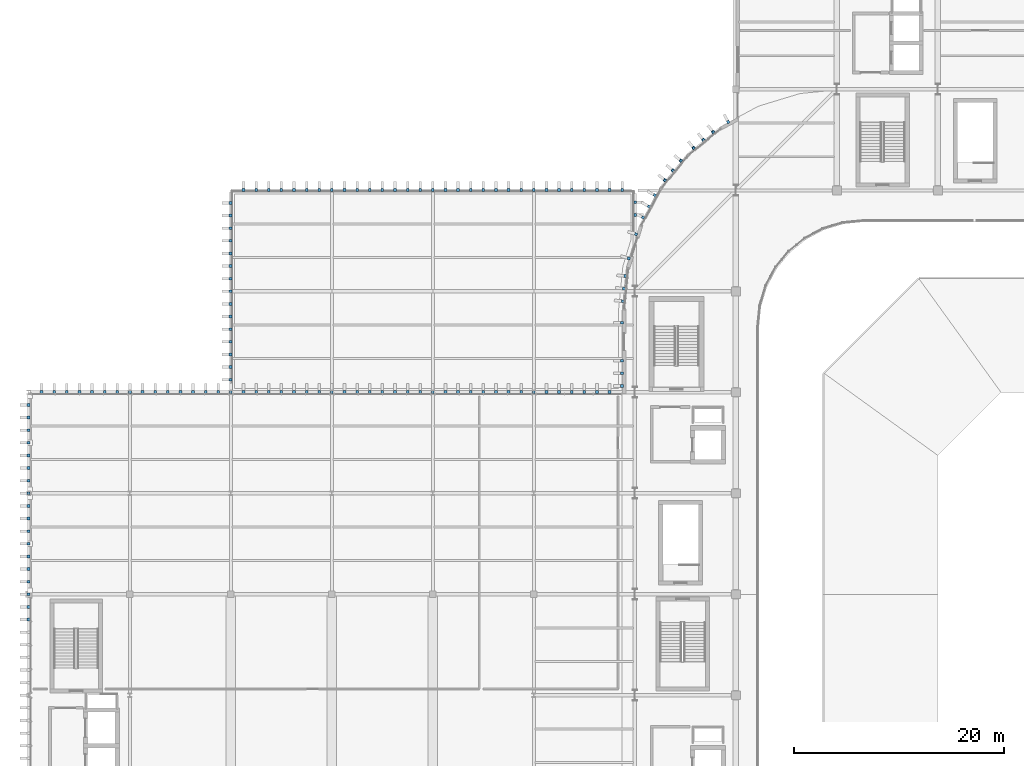
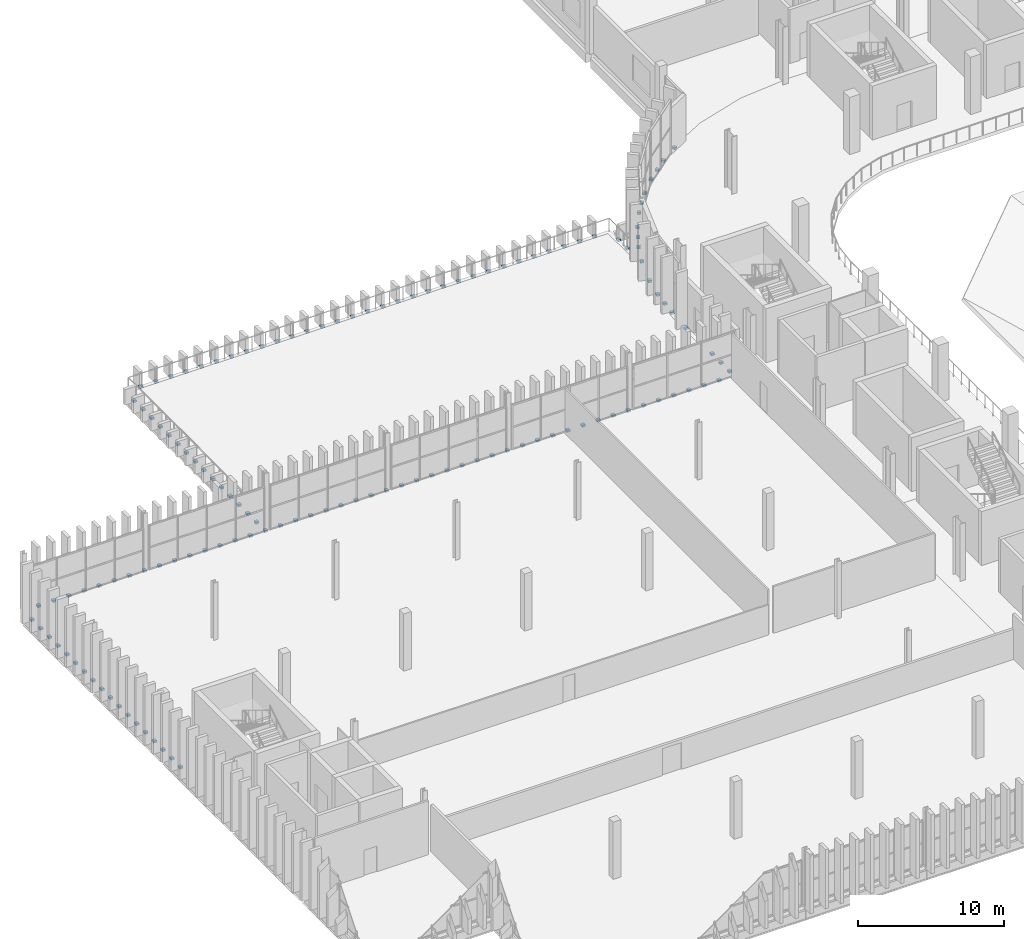
# One storey, part 74 of 99: 131 discrete accessories.
"""IFC4 building model written with IfcOpenShell, lengths in metres."""

from ifc_helpers import new_model, si_unit, direction, frame, origin, origin_2d, place, context, subcontext, project, spatial, rectangle, extrude, material, type_object, element, save


model = new_model("IFC4")

# Units and contexts
model_context = context("Model", 3, precision=1e-05, world=origin(), true_north=direction((0.0, 1.0)))
body_context = subcontext(model_context, "Body", "Model", "MODEL_VIEW")
ifc_project = project(units=[si_unit("LENGTHUNIT", "METRE"), si_unit("AREAUNIT", "SQUARE_METRE"), si_unit("VOLUMEUNIT", "CUBIC_METRE"), si_unit("PLANEANGLEUNIT", "RADIAN"), si_unit("MASSUNIT", "GRAM", prefix="KILO")], contexts=[model_context])

# Site, building, storey
site_placement = place(None, origin())
site = spatial("IfcSite", under=ifc_project, at=site_placement, CompositionType="ELEMENT")
building_placement = place(site_placement, origin())
building = spatial("IfcBuilding", under=site, at=building_placement, Name="Caelomonte Colonnade Arena", CompositionType="ELEMENT")
storey_placement = place(building_placement, frame((0.0, 0.0, 4.800048828125)))
storey = spatial("IfcBuildingStorey", under=building, at=storey_placement, Name="L01", CompositionType="ELEMENT", Elevation=4.800048828125)

# Discrete accessories
ifc_material = material(Name="Steel ASTM A572 Grade 50", Category="steel")
discrete_accessory_type = type_object("IfcDiscreteAccessoryType", Name="ENV-ACC-BRK", PredefinedType="BRACKET", material=ifc_material)
for number, where, z_axis, x_axis, name in (
    (1, (66.475830078125, 112.092041015625, -0.2099609375), (0.0, 0.0, 1.0), (-0.881921264348, -0.471396736826, 0.0), "V1 L01 fin support bracket 155"),
    (2, (65.050537109375, 111.139404296875, -0.2099609375), (0.0, 0.0, 1.0), (-0.77299384472, -0.634413521313, 0.0), "V1 L01 fin support bracket 156"),
    (3, (64.122802734375, 110.378173828125, -0.2099609375), (0.0, 0.0, 1.0), (-0.77299384472, -0.634413521313, 0.0), "V1 L01 fin support bracket 157"),
    (4, (63.1953125, 109.616943359375, -0.2099609375), (0.0, 0.0, 1.0), (-0.77299384472, -0.634413521313, 0.0), "V1 L01 fin support bracket 158"),
    (5, (61.983154296875, 108.40478515625, -0.2099609375), (0.0, 0.0, 1.0), (-0.634413521313, -0.77299384472, 0.0), "V1 L01 fin support bracket 159"),
    (6, (61.2216796875, 107.47705078125, -0.2099609375), (0.0, 0.0, 1.0), (-0.634413521313, -0.77299384472, 0.0), "V1 L01 fin support bracket 160"),
    (7, (60.46044921875, 106.549560546875, -0.2099609375), (0.0, 0.0, 1.0), (-0.634413521313, -0.77299384472, 0.0), "V1 L01 fin support bracket 161"),
    (8, (59.508056640625, 105.1240234375, -0.2099609375), (0.0, 0.0, 1.0), (-0.471396736826, -0.881921264348, 0.0), "V1 L01 fin support bracket 162"),
    (9, (58.9423828125, 104.06591796875, -0.2099609375), (0.0, 0.0, 1.0), (-0.471396736826, -0.881921264348, 0.0), "V1 L01 fin support bracket 163"),
    (10, (58.376708984375, 103.007568359375, -0.2099609375), (0.0, 0.0, 1.0), (-0.471396736826, -0.881921264348, 0.0), "V1 L01 fin support bracket 164"),
    (11, (57.720703125, 101.423583984375, -0.2099609375), (0.0, 0.0, 1.0), (-0.290276326364, -0.956942868907, 0.0), "V1 L01 fin support bracket 165"),
    (12, (57.02392578125, 99.126953125, -0.2099609375), (0.0, 0.0, 1.0), (-0.290276326364, -0.956942868907, 0.0), "V1 L01 fin support bracket 167"),
    (13, (56.689453125, 97.445556640625, -0.2099609375), (0.0, 0.0, 1.0), (-0.098015403404, -0.995184897743, 0.0), "V1 L01 fin support bracket 168"),
    (14, (56.572021484375, 96.25146484375, -0.2099609375), (0.0, 0.0, 1.0), (-0.098015403404, -0.995184897743, 0.0), "V1 L01 fin support bracket 169"),
    (15, (56.454345703125, 95.05712890625, -0.2099609375), (0.0, 0.0, 1.0), (-0.098015403404, -0.995184897743, 0.0), "V1 L01 fin support bracket 170"),
    (16, (56.3701171875, 93.0, -0.2099609375), (0.0, 0.0, 1.0), (0.0, -1.0, 0.0), "V1 L01 fin support bracket 171"),
    (17, (56.3701171875, 89.39990234375, -0.2099609375), (0.0, 0.0, 1.0), (0.0, -1.0, 0.0), "V1 L01 fin support bracket 174"),
    (18, (56.3701171875, 88.199951171875, -0.2099609375), (0.0, 0.0, 1.0), (0.0, -1.0, 0.0), "V1 L01 fin support bracket 175"),
    (19, (56.3701171875, 87.0, -0.2099609375), (0.0, 0.0, 1.0), (0.0, -1.0, 0.0), "V1 L01 fin support bracket 176"),
    (20, (-0.030029296875, 85.199951171875, -0.2099609375), (0.0, 0.0, 1.0), (0.0, -1.0, 0.0), "V5 L01 fin support bracket 1"),
    (21, (-0.030029296875, 84.0, -0.2099609375), (0.0, 0.0, 1.0), (0.0, -1.0, 0.0), "V5 L01 fin support bracket 2"),
    (22, (-0.030029296875, 82.800048828125, -0.2099609375), (0.0, 0.0, 1.0), (0.0, -1.0, 0.0), "V5 L01 fin support bracket 3"),
    (23, (-0.030029296875, 81.60009765625, -0.2099609375), (0.0, 0.0, 1.0), (0.0, -1.0, 0.0), "V5 L01 fin support bracket 4"),
    (24, (-0.030029296875, 80.39990234375, -0.2099609375), (0.0, 0.0, 1.0), (0.0, -1.0, 0.0), "V5 L01 fin support bracket 5"),
    (25, (-0.030029296875, 79.199951171875, -0.2099609375), (0.0, 0.0, 1.0), (0.0, -1.0, 0.0), "V5 L01 fin support bracket 6"),
    (26, (-0.030029296875, 78.0, -0.2099609375), (0.0, 0.0, 1.0), (0.0, -1.0, 0.0), "V5 L01 fin support bracket 7"),
    (27, (-0.030029296875, 76.800048828125, -0.2099609375), (0.0, 0.0, 1.0), (0.0, -1.0, 0.0), "V5 L01 fin support bracket 8"),
    (28, (-0.030029296875, 75.60009765625, -0.2099609375), (0.0, 0.0, 1.0), (0.0, -1.0, 0.0), "V5 L01 fin support bracket 9"),
    (29, (-0.030029296875, 74.39990234375, -0.2099609375), (0.0, 0.0, 1.0), (0.0, -1.0, 0.0), "V5 L01 fin support bracket 10"),
    (30, (-0.030029296875, 73.199951171875, -0.2099609375), (0.0, 0.0, 1.0), (0.0, -1.0, 0.0), "V5 L01 fin support bracket 11"),
    (31, (-0.030029296875, 72.0, -0.2099609375), (0.0, 0.0, 1.0), (0.0, -1.0, 0.0), "V5 L01 fin support bracket 12"),
    (32, (-0.030029296875, 70.800048828125, -0.2099609375), (0.0, 0.0, 1.0), (0.0, -1.0, 0.0), "V5 L01 fin support bracket 13"),
    (33, (-0.030029296875, 69.60009765625, -0.2099609375), (0.0, 0.0, 1.0), (0.0, -1.0, 0.0), "V5 L01 fin support bracket 14"),
    (34, (-0.030029296875, 68.39990234375, -0.2099609375), (0.0, 0.0, 1.0), (0.0, -1.0, 0.0), "V5 L01 fin support bracket 15"),
    (35, (-0.030029296875, 67.199951171875, -0.2099609375), (0.0, 0.0, 1.0), (0.0, -1.0, 0.0), "V5 L01 fin support bracket 16"),
    (36, (-0.030029296875, 66.0, -0.2099609375), (0.0, 0.0, 1.0), (0.0, -1.0, 0.0), "V5 L01 fin support bracket 17"),
    (37, (-0.030029296875, 64.800048828125, -0.2099609375), (0.0, 0.0, 1.0), (0.0, -1.0, 0.0), "V5 L01 fin support bracket 18"),
    (38, (55.199951171875, 86.429931640625, -0.2099609375), (0.0, 0.0, 1.0), (-1.0, 0.0, 0.0), "V5 L01 fin support bracket 96"),
    (39, (54.0, 86.429931640625, -0.2099609375), (0.0, 0.0, 1.0), (-1.0, 0.0, 0.0), "V5 L01 fin support bracket 97"),
    (40, (52.800048828125, 86.429931640625, -0.2099609375), (0.0, 0.0, 1.0), (-1.0, 0.0, 0.0), "V5 L01 fin support bracket 98"),
    (41, (51.60009765625, 86.429931640625, -0.2099609375), (0.0, 0.0, 1.0), (-1.0, 0.0, 0.0), "V5 L01 fin support bracket 99"),
    (42, (50.39990234375, 86.429931640625, -0.2099609375), (0.0, 0.0, 1.0), (-1.0, 0.0, 0.0), "V5 L01 fin support bracket 100"),
    (43, (49.199951171875, 86.429931640625, -0.2099609375), (0.0, 0.0, 1.0), (-1.0, 0.0, 0.0), "V5 L01 fin support bracket 101"),
    (44, (48.0, 86.429931640625, -0.2099609375), (0.0, 0.0, 1.0), (-1.0, 0.0, 0.0), "V5 L01 fin support bracket 102"),
    (45, (46.800048828125, 86.429931640625, -0.2099609375), (0.0, 0.0, 1.0), (-1.0, 0.0, 0.0), "V5 L01 fin support bracket 103"),
    (46, (45.60009765625, 86.429931640625, -0.2099609375), (0.0, 0.0, 1.0), (-1.0, 0.0, 0.0), "V5 L01 fin support bracket 104"),
    (47, (44.39990234375, 86.429931640625, -0.2099609375), (0.0, 0.0, 1.0), (-1.0, 0.0, 0.0), "V5 L01 fin support bracket 105"),
    (48, (43.199951171875, 86.429931640625, -0.2099609375), (0.0, 0.0, 1.0), (-1.0, 0.0, 0.0), "V5 L01 fin support bracket 106"),
    (49, (42.0, 86.429931640625, -0.2099609375), (0.0, 0.0, 1.0), (-1.0, 0.0, 0.0), "V5 L01 fin support bracket 107"),
    (50, (40.800048828125, 86.429931640625, -0.2099609375), (0.0, 0.0, 1.0), (-1.0, 0.0, 0.0), "V5 L01 fin support bracket 108"),
    (51, (39.60009765625, 86.429931640625, -0.2099609375), (0.0, 0.0, 1.0), (-1.0, 0.0, 0.0), "V5 L01 fin support bracket 109"),
    (52, (38.39990234375, 86.429931640625, -0.2099609375), (0.0, 0.0, 1.0), (-1.0, 0.0, 0.0), "V5 L01 fin support bracket 110"),
    (53, (37.199951171875, 86.429931640625, -0.2099609375), (0.0, 0.0, 1.0), (-1.0, 0.0, 0.0), "V5 L01 fin support bracket 111"),
    (54, (36.0, 86.429931640625, -0.2099609375), (0.0, 0.0, 1.0), (-1.0, 0.0, 0.0), "V5 L01 fin support bracket 112"),
    (55, (34.800048828125, 86.429931640625, -0.2099609375), (0.0, 0.0, 1.0), (-1.0, 0.0, 0.0), "V5 L01 fin support bracket 113"),
    (56, (33.60009765625, 86.429931640625, -0.2099609375), (0.0, 0.0, 1.0), (-1.0, 0.0, 0.0), "V5 L01 fin support bracket 114"),
    (57, (32.39990234375, 86.429931640625, -0.2099609375), (0.0, 0.0, 1.0), (-1.0, 0.0, 0.0), "V5 L01 fin support bracket 115"),
    (58, (31.199951171875, 86.429931640625, -0.2099609375), (0.0, 0.0, 1.0), (-1.0, 0.0, 0.0), "V5 L01 fin support bracket 116"),
    (59, (30.0, 86.429931640625, -0.2099609375), (0.0, 0.0, 1.0), (-1.0, 0.0, 0.0), "V5 L01 fin support bracket 117"),
    (60, (28.800048828125, 86.429931640625, -0.2099609375), (0.0, 0.0, 1.0), (-1.0, 0.0, 0.0), "V5 L01 fin support bracket 118"),
    (61, (27.60009765625, 86.429931640625, -0.2099609375), (0.0, 0.0, 1.0), (-1.0, 0.0, 0.0), "V5 L01 fin support bracket 119"),
    (62, (26.39990234375, 86.429931640625, -0.2099609375), (0.0, 0.0, 1.0), (-1.0, 0.0, 0.0), "V5 L01 fin support bracket 120"),
    (63, (25.199951171875, 86.429931640625, -0.2099609375), (0.0, 0.0, 1.0), (-1.0, 0.0, 0.0), "V5 L01 fin support bracket 121"),
    (64, (24.0, 86.429931640625, -0.2099609375), (0.0, 0.0, 1.0), (-1.0, 0.0, 0.0), "V5 L01 fin support bracket 122"),
    (65, (22.800048828125, 86.429931640625, -0.2099609375), (0.0, 0.0, 1.0), (-1.0, 0.0, 0.0), "V5 L01 fin support bracket 123"),
    (66, (21.60009765625, 86.429931640625, -0.2099609375), (0.0, 0.0, 1.0), (-1.0, 0.0, 0.0), "V5 L01 fin support bracket 124"),
    (67, (20.39990234375, 86.429931640625, -0.2099609375), (0.0, 0.0, 1.0), (-1.0, 0.0, 0.0), "V5 L01 fin support bracket 125"),
    (68, (19.199951171875, 86.429931640625, -0.2099609375), (0.0, 0.0, 1.0), (-1.0, 0.0, 0.0), "V5 L01 fin support bracket 126"),
    (69, (18.0, 86.429931640625, -0.2099609375), (0.0, 0.0, 1.0), (-1.0, 0.0, 0.0), "V5 L01 fin support bracket 127"),
    (70, (16.800048828125, 86.429931640625, -0.2099609375), (0.0, 0.0, 1.0), (-1.0, 0.0, 0.0), "V5 L01 fin support bracket 128"),
    (71, (15.60009765625, 86.429931640625, -0.2099609375), (0.0, 0.0, 1.0), (-1.0, 0.0, 0.0), "V5 L01 fin support bracket 129"),
    (72, (14.39990234375, 86.429931640625, -0.2099609375), (0.0, 0.0, 1.0), (-1.0, 0.0, 0.0), "V5 L01 fin support bracket 130"),
    (73, (13.199951171875, 86.429931640625, -0.2099609375), (0.0, 0.0, 1.0), (-1.0, 0.0, 0.0), "V5 L01 fin support bracket 131"),
    (74, (12.0, 86.429931640625, -0.2099609375), (0.0, 0.0, 1.0), (-1.0, 0.0, 0.0), "V5 L01 fin support bracket 132"),
    (75, (10.800048828125, 86.429931640625, -0.2099609375), (0.0, 0.0, 1.0), (-1.0, 0.0, 0.0), "V5 L01 fin support bracket 133"),
    (76, (9.60009765625, 86.429931640625, -0.2099609375), (0.0, 0.0, 1.0), (-1.0, 0.0, 0.0), "V5 L01 fin support bracket 134"),
    (77, (8.39990234375, 86.429931640625, -0.2099609375), (0.0, 0.0, 1.0), (-1.0, 0.0, 0.0), "V5 L01 fin support bracket 135"),
    (78, (7.199951171875, 86.429931640625, -0.2099609375), (0.0, 0.0, 1.0), (-1.0, 0.0, 0.0), "V5 L01 fin support bracket 136"),
    (79, (6.0, 86.429931640625, -0.2099609375), (0.0, 0.0, 1.0), (-1.0, 0.0, 0.0), "V5 L01 fin support bracket 137"),
    (80, (4.800048828125, 86.429931640625, -0.2099609375), (0.0, 0.0, 1.0), (-1.0, 0.0, 0.0), "V5 L01 fin support bracket 138"),
    (81, (3.60009765625, 86.429931640625, -0.2099609375), (0.0, 0.0, 1.0), (-1.0, 0.0, 0.0), "V5 L01 fin support bracket 139"),
    (82, (2.39990234375, 86.429931640625, -0.2099609375), (0.0, 0.0, 1.0), (-1.0, 0.0, 0.0), "V5 L01 fin support bracket 140"),
    (83, (1.199951171875, 86.429931640625, -0.2099609375), (0.0, 0.0, 1.0), (-1.0, 0.0, 0.0), "V5 L01 fin support bracket 141"),
    (84, (57.6298828125, 103.26123046875, -0.2099609375), (0.0, 0.0, 1.0), (0.0, 1.0, 0.0), "V5D L01 fin support bracket 2"),
    (85, (57.6298828125, 104.461181640625, -0.2099609375), (0.0, 0.0, 1.0), (0.0, 1.0, 0.0), "V5D L01 fin support bracket 3"),
    (86, (56.39990234375, 105.6298828125, -0.2099609375), (0.0, 0.0, 1.0), (-1.0, 0.0, 0.0), "V5D L01 fin support bracket 4"),
    (87, (55.199951171875, 105.6298828125, -0.2099609375), (0.0, 0.0, 1.0), (-1.0, 0.0, 0.0), "V5D L01 fin support bracket 5"),
    (88, (54.0, 105.6298828125, -0.2099609375), (0.0, 0.0, 1.0), (-1.0, 0.0, 0.0), "V5D L01 fin support bracket 6"),
    (89, (52.800048828125, 105.6298828125, -0.2099609375), (0.0, 0.0, 1.0), (-1.0, 0.0, 0.0), "V5D L01 fin support bracket 7"),
    (90, (51.60009765625, 105.6298828125, -0.2099609375), (0.0, 0.0, 1.0), (-1.0, 0.0, 0.0), "V5D L01 fin support bracket 8"),
    (91, (50.39990234375, 105.6298828125, -0.2099609375), (0.0, 0.0, 1.0), (-1.0, 0.0, 0.0), "V5D L01 fin support bracket 9"),
    (92, (49.199951171875, 105.6298828125, -0.2099609375), (0.0, 0.0, 1.0), (-1.0, 0.0, 0.0), "V5D L01 fin support bracket 10"),
    (93, (48.0, 105.6298828125, -0.2099609375), (0.0, 0.0, 1.0), (-1.0, 0.0, 0.0), "V5D L01 fin support bracket 11"),
    (94, (46.800048828125, 105.6298828125, -0.2099609375), (0.0, 0.0, 1.0), (-1.0, 0.0, 0.0), "V5D L01 fin support bracket 12"),
    (95, (45.60009765625, 105.6298828125, -0.2099609375), (0.0, 0.0, 1.0), (-1.0, 0.0, 0.0), "V5D L01 fin support bracket 13"),
    (96, (44.39990234375, 105.6298828125, -0.2099609375), (0.0, 0.0, 1.0), (-1.0, 0.0, 0.0), "V5D L01 fin support bracket 14"),
    (97, (43.199951171875, 105.6298828125, -0.2099609375), (0.0, 0.0, 1.0), (-1.0, 0.0, 0.0), "V5D L01 fin support bracket 15"),
    (98, (42.0, 105.6298828125, -0.2099609375), (0.0, 0.0, 1.0), (-1.0, 0.0, 0.0), "V5D L01 fin support bracket 16"),
    (99, (40.800048828125, 105.6298828125, -0.2099609375), (0.0, 0.0, 1.0), (-1.0, 0.0, 0.0), "V5D L01 fin support bracket 17"),
    (100, (39.60009765625, 105.6298828125, -0.2099609375), (0.0, 0.0, 1.0), (-1.0, 0.0, 0.0), "V5D L01 fin support bracket 18"),
    (101, (38.39990234375, 105.6298828125, -0.2099609375), (0.0, 0.0, 1.0), (-1.0, 0.0, 0.0), "V5D L01 fin support bracket 19"),
    (102, (37.199951171875, 105.6298828125, -0.2099609375), (0.0, 0.0, 1.0), (-1.0, 0.0, 0.0), "V5D L01 fin support bracket 20"),
    (103, (36.0, 105.6298828125, -0.2099609375), (0.0, 0.0, 1.0), (-1.0, 0.0, 0.0), "V5D L01 fin support bracket 21"),
    (104, (34.800048828125, 105.6298828125, -0.2099609375), (0.0, 0.0, 1.0), (-1.0, 0.0, 0.0), "V5D L01 fin support bracket 22"),
    (105, (33.60009765625, 105.6298828125, -0.2099609375), (0.0, 0.0, 1.0), (-1.0, 0.0, 0.0), "V5D L01 fin support bracket 23"),
    (106, (32.39990234375, 105.6298828125, -0.2099609375), (0.0, 0.0, 1.0), (-1.0, 0.0, 0.0), "V5D L01 fin support bracket 24"),
    (107, (31.199951171875, 105.6298828125, -0.2099609375), (0.0, 0.0, 1.0), (-1.0, 0.0, 0.0), "V5D L01 fin support bracket 25"),
    (108, (30.0, 105.6298828125, -0.2099609375), (0.0, 0.0, 1.0), (-1.0, 0.0, 0.0), "V5D L01 fin support bracket 26"),
    (109, (28.800048828125, 105.6298828125, -0.2099609375), (0.0, 0.0, 1.0), (-1.0, 0.0, 0.0), "V5D L01 fin support bracket 27"),
    (110, (27.60009765625, 105.6298828125, -0.2099609375), (0.0, 0.0, 1.0), (-1.0, 0.0, 0.0), "V5D L01 fin support bracket 28"),
    (111, (26.39990234375, 105.6298828125, -0.2099609375), (0.0, 0.0, 1.0), (-1.0, 0.0, 0.0), "V5D L01 fin support bracket 29"),
    (112, (25.199951171875, 105.6298828125, -0.2099609375), (0.0, 0.0, 1.0), (-1.0, 0.0, 0.0), "V5D L01 fin support bracket 30"),
    (113, (24.0, 105.6298828125, -0.2099609375), (0.0, 0.0, 1.0), (-1.0, 0.0, 0.0), "V5D L01 fin support bracket 31"),
    (114, (22.800048828125, 105.6298828125, -0.2099609375), (0.0, 0.0, 1.0), (-1.0, 0.0, 0.0), "V5D L01 fin support bracket 32"),
    (115, (21.60009765625, 105.6298828125, -0.2099609375), (0.0, 0.0, 1.0), (-1.0, 0.0, 0.0), "V5D L01 fin support bracket 33"),
    (116, (20.39990234375, 105.6298828125, -0.2099609375), (0.0, 0.0, 1.0), (-1.0, 0.0, 0.0), "V5D L01 fin support bracket 34"),
    (117, (19.169921875, 104.39990234375, -0.2099609375), (0.0, 0.0, 1.0), (0.0, -1.0, 0.0), "V5D L01 fin support bracket 35"),
    (118, (19.169921875, 103.199951171875, -0.2099609375), (0.0, 0.0, 1.0), (0.0, -1.0, 0.0), "V5D L01 fin support bracket 36"),
    (119, (19.169921875, 102.0, -0.2099609375), (0.0, 0.0, 1.0), (0.0, -1.0, 0.0), "V5D L01 fin support bracket 37"),
    (120, (19.169921875, 100.800048828125, -0.2099609375), (0.0, 0.0, 1.0), (0.0, -1.0, 0.0), "V5D L01 fin support bracket 38"),
    (121, (19.169921875, 99.60009765625, -0.2099609375), (0.0, 0.0, 1.0), (0.0, -1.0, 0.0), "V5D L01 fin support bracket 39"),
    (122, (19.169921875, 98.39990234375, -0.2099609375), (0.0, 0.0, 1.0), (0.0, -1.0, 0.0), "V5D L01 fin support bracket 40"),
    (123, (19.169921875, 97.199951171875, -0.2099609375), (0.0, 0.0, 1.0), (0.0, -1.0, 0.0), "V5D L01 fin support bracket 41"),
    (124, (19.169921875, 96.0, -0.2099609375), (0.0, 0.0, 1.0), (0.0, -1.0, 0.0), "V5D L01 fin support bracket 42"),
    (125, (19.169921875, 94.800048828125, -0.2099609375), (0.0, 0.0, 1.0), (0.0, -1.0, 0.0), "V5D L01 fin support bracket 43"),
    (126, (19.169921875, 93.60009765625, -0.2099609375), (0.0, 0.0, 1.0), (0.0, -1.0, 0.0), "V5D L01 fin support bracket 44"),
    (127, (19.169921875, 92.39990234375, -0.2099609375), (0.0, 0.0, 1.0), (0.0, -1.0, 0.0), "V5D L01 fin support bracket 45"),
    (128, (19.169921875, 91.199951171875, -0.2099609375), (0.0, 0.0, 1.0), (0.0, -1.0, 0.0), "V5D L01 fin support bracket 46"),
    (129, (19.169921875, 90.0, -0.2099609375), (0.0, 0.0, 1.0), (0.0, -1.0, 0.0), "V5D L01 fin support bracket 47"),
    (130, (19.169921875, 88.800048828125, -0.2099609375), (0.0, 0.0, 1.0), (0.0, -1.0, 0.0), "V5D L01 fin support bracket 48"),
    (131, (19.169921875, 87.60009765625, -0.2099609375), (0.0, 0.0, 1.0), (0.0, -1.0, 0.0), "V5D L01 fin support bracket 49"),
):
    element("IfcDiscreteAccessory", number, at=place(storey_placement, frame(where, z_axis=z_axis, x_axis=x_axis)), inside=storey, type_object=discrete_accessory_type, Name=name, PredefinedType="BRACKET", context=body_context, shape_type="SweptSolid", body=[
        extrude(rectangle(XDim=0.260009765625, YDim=0.260009765625, at=origin_2d()), origin(), (0.0, 0.0, 1.0), 0.179931640625),
    ])

save(model, "model.ifc")
